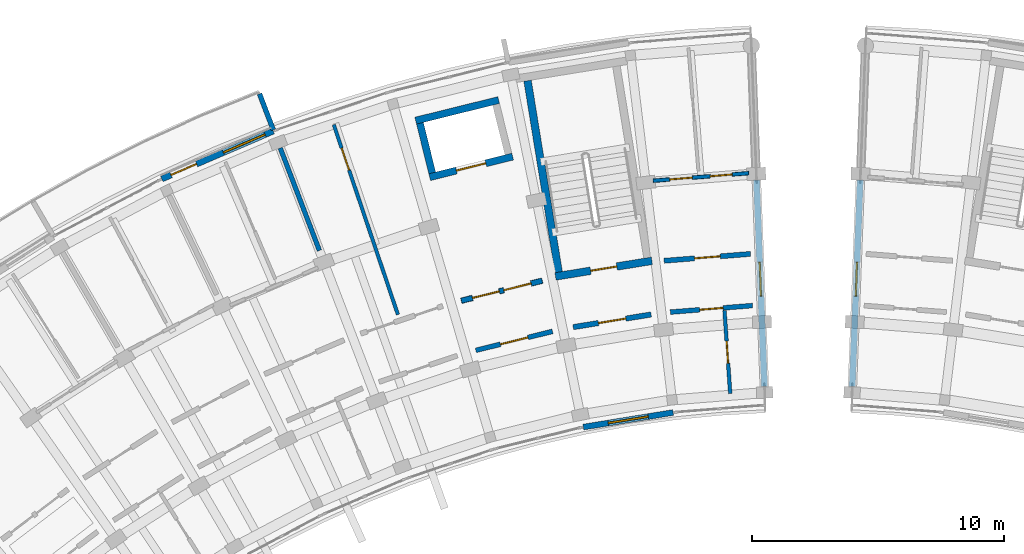
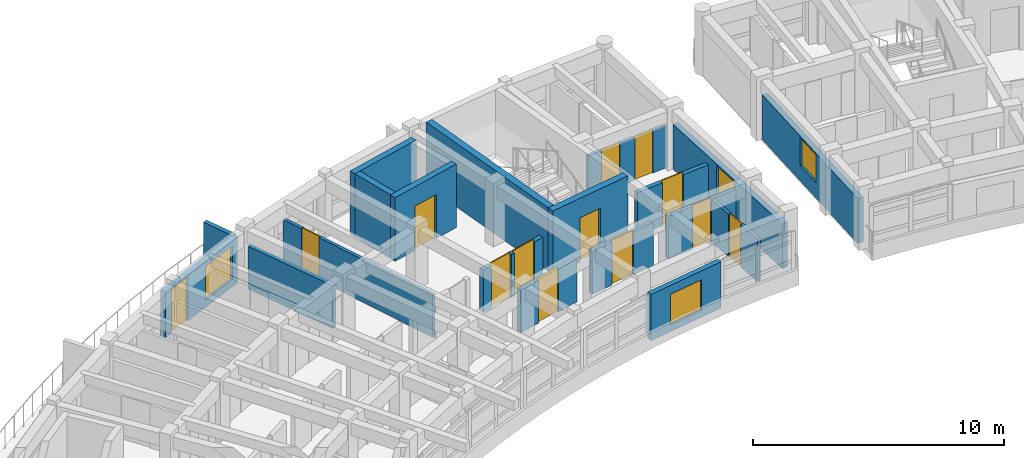
# One storey, part 32 of 50: 19 walls, 13 doors, 4 windows, 17 openings.
"""IFC4 building model written with IfcOpenShell, lengths in metres."""

from ifc_helpers import new_model, si_unit, direction, frame, frame_2d, origin, place, context, subcontext, project, spatial, rectangle, extrude, material, layer, layer_set, type_object, element, fill, save


model = new_model("IFC4")

# Units and contexts
model_context = context("Model", 3, precision=1e-05, world=origin(), true_north=direction((0.0, 1.0)))
body_context = subcontext(model_context, "Body", "Model", "MODEL_VIEW")
ifc_project = project(units=[si_unit("LENGTHUNIT", "METRE"), si_unit("AREAUNIT", "SQUARE_METRE"), si_unit("VOLUMEUNIT", "CUBIC_METRE"), si_unit("PLANEANGLEUNIT", "RADIAN"), si_unit("MASSUNIT", "GRAM", prefix="KILO")], contexts=[model_context])

# Site, building, storey
site_placement = place(None, origin())
site = spatial("IfcSite", under=ifc_project, at=site_placement, CompositionType="ELEMENT")
building_placement = place(site_placement, origin())
building = spatial("IfcBuilding", under=site, at=building_placement, Name="Zimvara Arc Housing Community", CompositionType="ELEMENT")
storey_placement = place(building_placement, frame((0.0, 0.0, 26.699951171875)))
storey = spatial("IfcBuildingStorey", under=building, at=storey_placement, Name="L08", CompositionType="ELEMENT", Elevation=26.699951171875)

# Wall, opening, window
ifc_material_1 = material(Name="Board-Marked Fair-Faced Concrete C35/45", Category="concrete")
ifc_layer_1 = layer(ifc_material_1, 0.22998046875)
ifc_layer_set_1 = layer_set([ifc_layer_1], Name="Board-Marked Fair-Faced Concrete C35/45")
wall_type_1 = type_object("IfcWallType", Name="EWL-CONC-230", PredefinedType="SOLIDWALL", material=ifc_layer_set_1)
wall_1_placement = place(storey_placement, frame((36.078125, 88.218017578125, 0.0), z_axis=(0.0, 0.0, 1.0), x_axis=(0.987080874485, 0.160222804952, 0.0)))
wall_1 = element("IfcWall", 1, at=wall_1_placement, inside=storey, type_object=wall_type_1, Name="ewall:blkA:L08:in:b8", PredefinedType="SOLIDWALL", context=body_context, shape_type="SweptSolid", body=[
    extrude(rectangle(XDim=3.603759765625, YDim=0.22998046875, at=frame_2d((1.8017578125, 0.0))), origin(), (0.0, 0.0, 1.0), 2.25),
])
opening_1_placement = place(wall_1_placement, frame((1.001708984375, 0.0, 0.320068359375)))
opening_1 = element("IfcOpeningElement", 2, at=opening_1_placement, cuts=wall_1, Name="Opening W03", PredefinedType="OPENING", context=body_context, shape_type="SweptSolid", body=[
    extrude(rectangle(XDim=1.60009765625, YDim=1.5, at=frame_2d((0.800048828125, 0.75))), frame((0.0, 0.125, 0.0), z_axis=(0.0, -1.0, 0.0), x_axis=(1.0, 0.0, 0.0)), (0.0, 0.0, 1.0), 0.25),
])
ifc_material_2 = material(Name="Solar Control Low-E Double Glazing", Category="glass")
window_type_1 = type_object("IfcWindowType", Name="WIN-RES-1600x1500", PartitioningType="DOUBLE_PANEL_VERTICAL", PredefinedType="WINDOW", material=ifc_material_2)
window_1_placement = place(opening_1_placement, origin())
window_1 = element("IfcWindow", 3, at=window_1_placement, inside=storey, type_object=window_type_1, Name="win:blkA:L08:in:b8", OverallHeight=1.5, OverallWidth=1.60009765625, PartitioningType="DOUBLE_PANEL_VERTICAL", PredefinedType="WINDOW", context=body_context, shape_type="SweptSolid", body=[
    extrude(rectangle(XDim=1.60009765625, YDim=1.5, at=frame_2d((0.800048828125, 0.75))), frame((0.0, 0.030029296875, 0.0), z_axis=(0.0, -1.0, 0.0), x_axis=(1.0, 0.0, 0.0)), (0.0, 0.0, 1.0), 0.06005859375),
])
fill(opening_1, window_1)

ifc_material_3 = material(Name="Board-Marked Fair-Faced Concrete C35/45", Category="concrete")
ifc_layer_2 = layer(ifc_material_3, 0.2548828125)
ifc_layer_set_2 = layer_set([ifc_layer_2], Name="Board-Marked Fair-Faced Concrete C35/45")
wall_type_2 = type_object("IfcWallType", Name="EWL-CONC-255", PredefinedType="SOLIDWALL", material=ifc_layer_set_2)
wall_2_placement = place(storey_placement, frame((43.2587890625, 89.82666015625, 0.0), z_axis=(0.0, 0.0, 1.0), x_axis=(-0.038407966241, 0.999262141847, 0.0)))
wall_2 = element("IfcWall", 4, at=wall_2_placement, inside=storey, type_object=wall_type_2, Name="ewall:blkA:L08:gN", PredefinedType="SOLIDWALL", context=body_context, shape_type="SweptSolid", body=[
    extrude(rectangle(XDim=8.199951171875, YDim=0.2548828125, at=frame_2d((4.10009765625, 0.0))), origin(), (0.0, 0.0, 1.0), 2.179931640625),
])
opening_2_placement = place(wall_2_placement, frame((3.590087890625, 0.0, 0.75)))
opening_2 = element("IfcOpeningElement", 5, at=opening_2_placement, cuts=wall_2, Name="Opening W12", PredefinedType="OPENING", context=body_context, shape_type="SweptSolid", body=[
    extrude(rectangle(XDim=1.35009765625, YDim=1.35009765625, at=frame_2d((0.675048828125, 0.675048828125))), frame((0.0, 0.137451171875, 0.0), z_axis=(0.0, -1.0, 0.0), x_axis=(1.0, 0.0, 0.0)), (0.0, 0.0, 1.0), 0.27490234375),
])
ifc_material_4 = material(Name="Solar Control Low-E Double Glazing", Category="glass")
window_type_2 = type_object("IfcWindowType", Name="WIN-RES-1350x1350", PartitioningType="DOUBLE_PANEL_VERTICAL", PredefinedType="WINDOW", material=ifc_material_4)
window_2_placement = place(opening_2_placement, origin())
window_2 = element("IfcWindow", 6, at=window_2_placement, inside=storey, type_object=window_type_2, Name="win:blkA:L08:gN:w", OverallHeight=1.35009765625, OverallWidth=1.35009765625, PartitioningType="DOUBLE_PANEL_VERTICAL", PredefinedType="WINDOW", context=body_context, shape_type="SweptSolid", body=[
    extrude(rectangle(XDim=1.35009765625, YDim=1.35009765625, at=frame_2d((0.675048828125, 0.675048828125))), frame((0.0, 0.030029296875, 0.0), z_axis=(0.0, -1.0, 0.0), x_axis=(1.0, 0.0, 0.0)), (0.0, 0.0, 1.0), 0.06005859375),
])
fill(opening_2, window_2)

wall_3_placement = place(storey_placement, frame((46.7412109375, 89.82666015625, 0.0), z_axis=(0.0, 0.0, 1.0), x_axis=(0.038407966241, 0.999262141847, 0.0)))
wall_3 = element("IfcWall", 7, at=wall_3_placement, inside=storey, type_object=wall_type_2, Name="ewall:blkB:L08:g0", PredefinedType="SOLIDWALL", context=body_context, shape_type="SweptSolid", body=[
    extrude(rectangle(XDim=8.199951171875, YDim=0.2548828125, at=frame_2d((4.10009765625, 0.0))), origin(), (0.0, 0.0, 1.0), 2.179931640625),
])
opening_3_placement = place(wall_3_placement, frame((3.590087890625, 0.0, 0.75)))
opening_3 = element("IfcOpeningElement", 8, at=opening_3_placement, cuts=wall_3, Name="Opening W12", PredefinedType="OPENING", context=body_context, shape_type="SweptSolid", body=[
    extrude(rectangle(XDim=1.35009765625, YDim=1.35009765625, at=frame_2d((0.675048828125, 0.675048828125))), frame((0.0, 0.137451171875, 0.0), z_axis=(0.0, -1.0, 0.0), x_axis=(1.0, 0.0, 0.0)), (0.0, 0.0, 1.0), 0.27490234375),
])
window_3_placement = place(opening_3_placement, origin())
window_3 = element("IfcWindow", 9, at=window_3_placement, inside=storey, type_object=window_type_2, Name="win:blkB:L08:g0:w", OverallHeight=1.35009765625, OverallWidth=1.35009765625, PartitioningType="DOUBLE_PANEL_VERTICAL", PredefinedType="WINDOW", context=body_context, shape_type="SweptSolid", body=[
    extrude(rectangle(XDim=1.35009765625, YDim=1.35009765625, at=frame_2d((0.675048828125, 0.675048828125))), frame((0.0, 0.030029296875, 0.0), z_axis=(0.0, -1.0, 0.0), x_axis=(1.0, 0.0, 0.0)), (0.0, 0.0, 1.0), 0.06005859375),
])
fill(opening_3, window_3)

# Wall
ifc_material_5 = material(Name="Board-Marked Fair-Faced Concrete C35/45", Category="concrete")
ifc_layer_3 = layer(ifc_material_5, 0.195068359375)
ifc_layer_set_3 = layer_set([ifc_layer_3], Name="Board-Marked Fair-Faced Concrete C35/45")
wall_type_3 = type_object("IfcWallType", Name="EWL-PARA-195", PredefinedType="PARAPET", material=ifc_layer_set_3)
wall_4_placement = place(storey_placement, frame((23.783203125, 100.0029296875, 0.0), z_axis=(0.0, 0.0, 1.0), x_axis=(-0.356957296461, 0.934120703391, 0.0)))
element("IfcWall", 10, at=wall_4_placement, inside=storey, type_object=wall_type_3, Name="finwall:blkA:L08:out:b6", PredefinedType="PARAPET", context=body_context, shape_type="SweptSolid", body=[
    extrude(rectangle(XDim=1.530029296875, YDim=0.195068359375, at=frame_2d((0.76513671875, 0.0))), origin(), (0.0, 0.0, 1.0), 2.25),
])

# Wall, openings, door, window
ifc_material_6 = material(Name="Pigmented Fair-Faced Concrete C35/45", Category="concrete")
ifc_layer_4 = layer(ifc_material_6, 0.2451171875)
ifc_layer_set_4 = layer_set([ifc_layer_4], Name="Pigmented Fair-Faced Concrete C35/45")
wall_type_4 = type_object("IfcWallType", Name="EWL-PIGM-245", PredefinedType="SOLIDWALL", material=ifc_layer_set_4)
wall_5_placement = place(storey_placement, frame((19.361083984375, 98.05859375, 0.0), z_axis=(0.0, 0.0, 1.0), x_axis=(0.918711189033, 0.394930058548, 0.0)))
wall_5 = element("IfcWall", 11, at=wall_5_placement, inside=storey, type_object=wall_type_4, Name="ewall:blkA:L08:out:b5", PredefinedType="SOLIDWALL", context=body_context, shape_type="SweptSolid", body=[
    extrude(rectangle(XDim=4.808837890625, YDim=0.2451171875, at=frame_2d((2.404296875, 0.0))), origin(), (0.0, 0.0, 1.0), 2.25),
])
opening_4_placement = place(wall_5_placement, frame((0.39990234375, 0.0, 0.0)))
opening_4 = element("IfcOpeningElement", 12, at=opening_4_placement, cuts=wall_5, Name="Opening ED06", PredefinedType="OPENING", context=body_context, shape_type="SweptSolid", body=[
    extrude(rectangle(XDim=1.10009765625, YDim=2.14990234375, at=frame_2d((0.550048828125, 1.074951171875))), frame((0.0, 0.132568359375, 0.0), z_axis=(0.0, -1.0, 0.0), x_axis=(1.0, 0.0, 0.0)), (0.0, 0.0, 1.0), 0.26513671875),
])
opening_5_placement = place(wall_5_placement, frame((2.658935546875, 0.0, 0.35009765625)))
opening_5 = element("IfcOpeningElement", 13, at=opening_5_placement, cuts=wall_5, Name="Opening W08", PredefinedType="OPENING", context=body_context, shape_type="SweptSolid", body=[
    extrude(rectangle(XDim=1.800048828125, YDim=1.64990234375, at=frame_2d((0.89990234375, 0.824951171875))), frame((0.0, 0.132568359375, 0.0), z_axis=(0.0, -1.0, 0.0), x_axis=(1.0, 0.0, 0.0)), (0.0, 0.0, 1.0), 0.26513671875),
])
ifc_material_7 = material(Name="Anodised Aluminium AW-6063", Category="aluminium")
door_type_1 = type_object("IfcDoorType", Name="EDR-TERR-1100x2150", OperationType="NOTDEFINED", PredefinedType="DOOR", material=ifc_material_7)
door_1_placement = place(opening_4_placement, origin())
door_1 = element("IfcDoor", 14, at=door_1_placement, inside=storey, type_object=door_type_1, Name="edoor:blkA:L08:bal_out:b5", OperationType="SINGLE_SWING_LEFT", OverallHeight=2.14990234375, OverallWidth=1.10009765625, PredefinedType="DOOR", context=body_context, shape_type="SweptSolid", body=[
    extrude(rectangle(XDim=1.10009765625, YDim=2.14990234375, at=frame_2d((0.550048828125, 1.074951171875))), frame((0.0, 0.02490234375, 0.0), z_axis=(0.0, -1.0, 0.0), x_axis=(1.0, 0.0, 0.0)), (0.0, 0.0, 1.0), 0.050048828125),
])
fill(opening_4, door_1)
ifc_material_8 = material(Name="Solar Control Low-E Double Glazing", Category="glass")
window_type_3 = type_object("IfcWindowType", Name="WIN-RES-1800x1650", PartitioningType="TRIPLE_PANEL_VERTICAL", PredefinedType="WINDOW", material=ifc_material_8)
window_4_placement = place(opening_5_placement, origin())
window_4 = element("IfcWindow", 15, at=window_4_placement, inside=storey, type_object=window_type_3, Name="win:blkA:L08:out:b5:balw", OverallHeight=1.64990234375, OverallWidth=1.800048828125, PartitioningType="TRIPLE_PANEL_VERTICAL", PredefinedType="WINDOW", context=body_context, shape_type="SweptSolid", body=[
    extrude(rectangle(XDim=1.800048828125, YDim=1.64990234375, at=frame_2d((0.89990234375, 0.824951171875))), frame((0.0, 0.030029296875, 0.0), z_axis=(0.0, -1.0, 0.0), x_axis=(1.0, 0.0, 0.0)), (0.0, 0.0, 1.0), 0.06005859375),
])
fill(opening_5, window_4)

# Wall, openings, doors
ifc_material_9 = material(Name="Concrete C35/45", Category="concrete")
ifc_layer_5 = layer(ifc_material_9, 0.2099609375)
ifc_layer_set_5 = layer_set([ifc_layer_5], Name="Concrete C35/45")
wall_type_5 = type_object("IfcWallType", Name="IWL-CCF-210", PredefinedType="SOLIDWALL", material=ifc_layer_set_5)
wall_6_placement = place(storey_placement, frame((31.242919921875, 93.22998046875, 0.0), z_axis=(0.0, 0.0, 1.0), x_axis=(0.970719238682, 0.240216901263, 0.0)))
wall_6 = element("IfcWall", 16, at=wall_6_placement, inside=storey, type_object=wall_type_5, Name="iwall:blkA:L08:ll_div:b7", PredefinedType="SOLIDWALL", context=body_context, shape_type="SweptSolid", body=[
    extrude(rectangle(XDim=3.2958984375, YDim=0.2099609375, at=frame_2d((1.64794921875, 0.0))), origin(), (0.0, 0.0, 1.0), 2.080078125),
])
opening_6_placement = place(wall_6_placement, frame((0.449951171875, 0.0, 0.0)))
opening_6 = element("IfcOpeningElement", 17, at=opening_6_placement, cuts=wall_6, Name="Opening FD-CCF1", PredefinedType="OPENING", context=body_context, shape_type="SweptSolid", body=[
    extrude(rectangle(XDim=1.10009765625, YDim=2.14990234375, at=frame_2d((0.550048828125, 1.074951171875))), frame((0.0, 0.114990234375, 0.0), z_axis=(0.0, -1.0, 0.0), x_axis=(1.0, 0.0, 0.0)), (0.0, 0.0, 1.0), 0.22998046875),
])
opening_7_placement = place(wall_6_placement, frame((1.72607421875, 0.0, 0.0)))
opening_7 = element("IfcOpeningElement", 18, at=opening_7_placement, cuts=wall_6, Name="Opening D07", PredefinedType="OPENING", context=body_context, shape_type="SweptSolid", body=[
    extrude(rectangle(XDim=1.1201171875, YDim=2.14990234375, at=frame_2d((0.56005859375, 1.074951171875))), frame((0.0, 0.114990234375, 0.0), z_axis=(0.0, -1.0, 0.0), x_axis=(1.0, 0.0, 0.0)), (0.0, 0.0, 1.0), 0.22998046875),
])
ifc_material_10 = material(Name="Mozambican Hardwood", Category="wood")
door_type_2 = type_object("IfcDoorType", Name="IDR-AMN-1120x2150", OperationType="NOTDEFINED", PredefinedType="DOOR", material=ifc_material_10)
door_2_placement = place(opening_7_placement, origin())
door_2 = element("IfcDoor", 19, at=door_2_placement, inside=storey, type_object=door_type_2, Name="idoor:blkA:L08:rs_in:b7", OperationType="SINGLE_SWING_LEFT", OverallHeight=2.14990234375, OverallWidth=1.1201171875, PredefinedType="DOOR", context=body_context, shape_type="SweptSolid", body=[
    extrude(rectangle(XDim=1.1201171875, YDim=2.14990234375, at=frame_2d((0.56005859375, 1.074951171875))), frame((0.0, 0.02490234375, 0.0), z_axis=(0.0, -1.0, 0.0), x_axis=(1.0, 0.0, 0.0)), (0.0, 0.0, 1.0), 0.050048828125),
])
fill(opening_7, door_2)
ifc_material_11 = material(Name="Anodised Aluminium AW-6063", Category="aluminium")
door_type_3 = type_object("IfcDoorType", Name="IDR-CCF-1100x2150", OperationType="NOTDEFINED", PredefinedType="DOOR", material=ifc_material_11)
door_3_placement = place(opening_6_placement, origin())
door_3 = element("IfcDoor", 20, at=door_3_placement, inside=storey, type_object=door_type_3, Name="idoor:blkA:L08:ll_in:b7", OperationType="SINGLE_SWING_RIGHT", OverallHeight=2.14990234375, OverallWidth=1.10009765625, PredefinedType="DOOR", context=body_context, shape_type="SweptSolid", body=[
    extrude(rectangle(XDim=1.10009765625, YDim=2.14990234375, at=frame_2d((0.550048828125, 1.074951171875))), frame((0.0, 0.02490234375, 0.0), z_axis=(0.0, -1.0, 0.0), x_axis=(1.0, 0.0, 0.0)), (0.0, 0.0, 1.0), 0.050048828125),
])
fill(opening_6, door_3)

# Wall, opening, door
wall_7_placement = place(storey_placement, frame((35.675537109375, 92.181396484375, 0.0), z_axis=(0.0, 0.0, 1.0), x_axis=(0.98707079686, 0.160284877599, 0.0)))
wall_7 = element("IfcWall", 21, at=wall_7_placement, inside=storey, type_object=wall_type_5, Name="iwall:blkA:L08:ccf_div:b8", PredefinedType="SOLIDWALL", context=body_context, shape_type="SweptSolid", body=[
    extrude(rectangle(XDim=3.128662109375, YDim=0.2099609375, at=frame_2d((1.564453125, 0.0))), origin(), (0.0, 0.0, 1.0), 2.080078125),
])
opening_8_placement = place(wall_7_placement, frame((1.014404296875, 0.0, 0.0)))
opening_8 = element("IfcOpeningElement", 22, at=opening_8_placement, cuts=wall_7, Name="Opening FD-CCF1", PredefinedType="OPENING", context=body_context, shape_type="SweptSolid", body=[
    extrude(rectangle(XDim=1.10009765625, YDim=2.14990234375, at=frame_2d((0.550048828125, 1.074951171875))), frame((0.0, 0.114990234375, 0.0), z_axis=(0.0, -1.0, 0.0), x_axis=(1.0, 0.0, 0.0)), (0.0, 0.0, 1.0), 0.22998046875),
])
door_4_placement = place(opening_8_placement, origin())
door_4 = element("IfcDoor", 23, at=door_4_placement, inside=storey, type_object=door_type_3, Name="idoor:blkA:L08:ccf_in:b8", OperationType="SINGLE_SWING_LEFT", OverallHeight=2.14990234375, OverallWidth=1.10009765625, PredefinedType="DOOR", context=body_context, shape_type="SweptSolid", body=[
    extrude(rectangle(XDim=1.10009765625, YDim=2.14990234375, at=frame_2d((0.550048828125, 1.074951171875))), frame((0.0, 0.02490234375, 0.0), z_axis=(0.0, -1.0, 0.0), x_axis=(1.0, 0.0, 0.0)), (0.0, 0.0, 1.0), 0.050048828125),
])
fill(opening_8, door_4)

ifc_material_12 = material(Name="Concrete C35/45", Category="concrete")
ifc_layer_6 = layer(ifc_material_12, 0.18994140625)
ifc_layer_set_6 = layer_set([ifc_layer_6], Name="Concrete C35/45")
wall_type_6 = type_object("IfcWallType", Name="IWL-CORR-190", PredefinedType="SOLIDWALL", material=ifc_layer_set_6)
wall_8_placement = place(storey_placement, frame((31.816162109375, 91.26171875, 0.0), z_axis=(0.0, 0.0, 1.0), x_axis=(0.970727194092, 0.240184751078, 0.0)))
wall_8 = element("IfcWall", 24, at=wall_8_placement, inside=storey, type_object=wall_type_6, Name="iwall:blkA:L08:ra_div:b7", PredefinedType="SOLIDWALL", context=body_context, shape_type="SweptSolid", body=[
    extrude(rectangle(XDim=3.128662109375, YDim=0.18994140625, at=frame_2d((1.564453125, 0.0))), origin(), (0.0, 0.0, 1.0), 2.080078125),
])
opening_9_placement = place(wall_8_placement, frame((1.00439453125, 0.0, 0.0)))
opening_9 = element("IfcOpeningElement", 25, at=opening_9_placement, cuts=wall_8, Name="Opening D07", PredefinedType="OPENING", context=body_context, shape_type="SweptSolid", body=[
    extrude(rectangle(XDim=1.1201171875, YDim=2.14990234375, at=frame_2d((0.56005859375, 1.074951171875))), frame((0.0, 0.10498046875, 0.0), z_axis=(0.0, -1.0, 0.0), x_axis=(1.0, 0.0, 0.0)), (0.0, 0.0, 1.0), 0.2099609375),
])
door_5_placement = place(opening_9_placement, origin())
door_5 = element("IfcDoor", 26, at=door_5_placement, inside=storey, type_object=door_type_2, Name="idoor:blkA:L08:ra_d:b7", OperationType="SINGLE_SWING_RIGHT", OverallHeight=2.14990234375, OverallWidth=1.1201171875, PredefinedType="DOOR", context=body_context, shape_type="SweptSolid", body=[
    extrude(rectangle(XDim=1.1201171875, YDim=2.14990234375, at=frame_2d((0.56005859375, 1.074951171875))), frame((0.0, 0.02490234375, 0.0), z_axis=(0.0, -1.0, 0.0), x_axis=(1.0, 0.0, 0.0)), (0.0, 0.0, 1.0), 0.050048828125),
])
fill(opening_9, door_5)

wall_9_placement = place(storey_placement, frame((39.527099609375, 92.77783203125, 0.0), z_axis=(0.0, 0.0, 1.0), x_axis=(0.99686660806, 0.07910098441, 0.0)))
wall_9 = element("IfcWall", 27, at=wall_9_placement, inside=storey, type_object=wall_type_6, Name="iwall:blkA:L08:corr_in:b9", PredefinedType="SOLIDWALL", context=body_context, shape_type="SweptSolid", body=[
    extrude(rectangle(XDim=3.2685546875, YDim=0.18994140625, at=frame_2d((1.63427734375, 0.0))), origin(), (0.0, 0.0, 1.0), 2.080078125),
])
opening_10_placement = place(wall_9_placement, frame((1.17431640625, 0.0, 0.0)))
opening_10 = element("IfcOpeningElement", 28, at=opening_10_placement, cuts=wall_9, Name="Opening D02", PredefinedType="OPENING", context=body_context, shape_type="SweptSolid", body=[
    extrude(rectangle(XDim=0.919921875, YDim=2.10009765625, at=frame_2d((0.4599609375, 1.050048828125))), frame((0.0, 0.10498046875, 0.0), z_axis=(0.0, -1.0, 0.0), x_axis=(1.0, 0.0, 0.0)), (0.0, 0.0, 1.0), 0.2099609375),
])
ifc_material_13 = material(Name="Mozambican Hardwood", Category="wood")
door_type_4 = type_object("IfcDoorType", Name="IDR-RM-0920x2100", OperationType="NOTDEFINED", PredefinedType="DOOR", material=ifc_material_13)
door_6_placement = place(opening_10_placement, origin())
door_6 = element("IfcDoor", 29, at=door_6_placement, inside=storey, type_object=door_type_4, Name="idoor:blkA:L08:in_rm:b9", OperationType="SINGLE_SWING_LEFT", OverallHeight=2.10009765625, OverallWidth=0.919921875, PredefinedType="DOOR", context=body_context, shape_type="SweptSolid", body=[
    extrude(rectangle(XDim=0.919921875, YDim=2.10009765625, at=frame_2d((0.4599609375, 1.050048828125))), frame((0.0, 0.02490234375, 0.0), z_axis=(0.0, -1.0, 0.0), x_axis=(1.0, 0.0, 0.0)), (0.0, 0.0, 1.0), 0.050048828125),
])
fill(opening_10, door_6)

ifc_material_14 = material(Name="Concrete C35/45", Category="concrete")
ifc_layer_7 = layer(ifc_material_14, 0.199951171875)
ifc_layer_set_7 = layer_set([ifc_layer_7], Name="Concrete C35/45")
wall_type_7 = type_object("IfcWallType", Name="IWL-CORR-200", PredefinedType="SOLIDWALL", material=ifc_layer_set_7)
wall_10_placement = place(storey_placement, frame((39.281494140625, 94.81298828125, 0.0), z_axis=(0.0, 0.0, 1.0), x_axis=(0.996862545573, 0.079152165058, 0.0)))
wall_10 = element("IfcWall", 30, at=wall_10_placement, inside=storey, type_object=wall_type_7, Name="iwall:blkA:L08:corr_out:b9", PredefinedType="SOLIDWALL", context=body_context, shape_type="SweptSolid", body=[
    extrude(rectangle(XDim=3.43603515625, YDim=0.199951171875, at=frame_2d((1.718017578125, 0.0))), origin(), (0.0, 0.0, 1.0), 2.080078125),
])
opening_11_placement = place(wall_10_placement, frame((1.2080078125, 0.0, 0.0)))
opening_11 = element("IfcOpeningElement", 31, at=opening_11_placement, cuts=wall_10, Name="Opening FD-FL2", PredefinedType="OPENING", context=body_context, shape_type="SweptSolid", body=[
    extrude(rectangle(XDim=1.02001953125, YDim=2.14990234375, at=frame_2d((0.510009765625, 1.074951171875))), frame((0.0, 0.10986328125, 0.0), z_axis=(0.0, -1.0, 0.0), x_axis=(1.0, 0.0, 0.0)), (0.0, 0.0, 1.0), 0.219970703125),
])
ifc_material_15 = material(Name="Mozambican Hardwood", Category="wood")
door_type_5 = type_object("IfcDoorType", Name="IDR-FLAT-1020x2150", OperationType="NOTDEFINED", PredefinedType="DOOR", material=ifc_material_15)
door_7_placement = place(opening_11_placement, origin())
door_7 = element("IfcDoor", 32, at=door_7_placement, inside=storey, type_object=door_type_5, Name="idoor:blkA:L08:flat:b9", OperationType="SINGLE_SWING_RIGHT", OverallHeight=2.14990234375, OverallWidth=1.02001953125, PredefinedType="DOOR", context=body_context, shape_type="SweptSolid", body=[
    extrude(rectangle(XDim=1.02001953125, YDim=2.14990234375, at=frame_2d((0.510009765625, 1.074951171875))), frame((0.0, 0.02490234375, 0.0), z_axis=(0.0, -1.0, 0.0), x_axis=(1.0, 0.0, 0.0)), (0.0, 0.0, 1.0), 0.050048828125),
])
fill(opening_11, door_7)

# Wall
ifc_material_16 = material(Name="Concrete C35/45", Category="concrete")
ifc_layer_8 = layer(ifc_material_16, 0.18505859375)
ifc_layer_set_8 = layer_set([ifc_layer_8], Name="Concrete C35/45")
wall_type_8 = type_object("IfcWallType", Name="IWL-FLAT-185", PredefinedType="SOLIDWALL", material=ifc_layer_set_8)
wall_11_placement = place(storey_placement, frame((25.611328125, 95.220458984375, 0.0), z_axis=(0.0, 0.0, 1.0), x_axis=(-0.357064016205, 0.934079915388, 0.0)))
element("IfcWall", 33, at=wall_11_placement, inside=storey, type_object=wall_type_8, Name="iwall:blkA:L08:party:b6", PredefinedType="SOLIDWALL", context=body_context, shape_type="SweptSolid", body=[
    extrude(rectangle(XDim=4.35009765625, YDim=0.18505859375, at=frame_2d((2.175048828125, 0.0))), origin(), (0.0, 0.0, 1.0), 2.080078125),
])

# Wall, opening, door
ifc_material_17 = material(Name="Painted Acoustic Plasterboard")
ifc_layer_9 = layer(ifc_material_17, 0.139892578125)
ifc_layer_set_9 = layer_set([ifc_layer_9], Name="Painted Acoustic Plasterboard")
wall_type_9 = type_object("IfcWallType", Name="IWL-PART-140", PredefinedType="PARTITIONING", material=ifc_layer_set_9)
wall_12_placement = place(storey_placement, frame((28.72509765625, 92.67529296875, 0.0), z_axis=(0.0, 0.0, 1.0), x_axis=(-0.320057771325, 0.947398027766, 0.0)))
wall_12 = element("IfcWall", 34, at=wall_12_placement, inside=storey, type_object=wall_type_9, Name="iwall:blkA:L08:amen_div:b6", PredefinedType="PARTITIONING", context=body_context, shape_type="SweptSolid", body=[
    extrude(rectangle(XDim=7.949951171875, YDim=0.139892578125, at=frame_2d((3.97509765625, 0.0))), origin(), (0.0, 0.0, 1.0), 2.080078125),
])
opening_12_placement = place(wall_12_placement, frame((6.050048828125, 0.0, 0.0)))
opening_12 = element("IfcOpeningElement", 35, at=opening_12_placement, cuts=wall_12, Name="Opening D02", PredefinedType="OPENING", context=body_context, shape_type="SweptSolid", body=[
    extrude(rectangle(XDim=0.919921875, YDim=2.10009765625, at=frame_2d((0.4599609375, 1.050048828125))), frame((0.0, 0.079833984375, 0.0), z_axis=(0.0, -1.0, 0.0), x_axis=(1.0, 0.0, 0.0)), (0.0, 0.0, 1.0), 0.159912109375),
])
door_8_placement = place(opening_12_placement, origin())
door_8 = element("IfcDoor", 36, at=door_8_placement, inside=storey, type_object=door_type_4, Name="idoor:blkA:L08:laund_d:b6", OperationType="SINGLE_SWING_LEFT", OverallHeight=2.10009765625, OverallWidth=0.919921875, PredefinedType="DOOR", context=body_context, shape_type="SweptSolid", body=[
    extrude(rectangle(XDim=0.919921875, YDim=2.10009765625, at=frame_2d((0.4599609375, 1.050048828125))), frame((0.0, 0.02490234375, 0.0), z_axis=(0.0, -1.0, 0.0), x_axis=(1.0, 0.0, 0.0)), (0.0, 0.0, 1.0), 0.050048828125),
])
fill(opening_12, door_8)

# Wall, openings, doors
wall_13_placement = place(storey_placement, frame((38.848388671875, 97.986083984375, 0.0), z_axis=(0.0, 0.0, 1.0), x_axis=(0.996863138536, 0.079144696778, 0.0)))
wall_13 = element("IfcWall", 37, at=wall_13_placement, inside=storey, type_object=wall_type_9, Name="iwall:blkA:L08:srv:b9", PredefinedType="PARTITIONING", context=body_context, shape_type="SweptSolid", body=[
    extrude(rectangle(XDim=3.79736328125, YDim=0.139892578125, at=frame_2d((1.898681640625, 0.0))), origin(), (0.0, 0.0, 1.0), 2.080078125),
])
opening_13_placement = place(wall_13_placement, frame((0.64990234375, 0.0, 0.0)))
opening_13 = element("IfcOpeningElement", 38, at=opening_13_placement, cuts=wall_13, Name="Opening D01", PredefinedType="OPENING", context=body_context, shape_type="SweptSolid", body=[
    extrude(rectangle(XDim=0.89990234375, YDim=2.10009765625, at=frame_2d((0.449951171875, 1.050048828125))), frame((0.0, 0.079833984375, 0.0), z_axis=(0.0, -1.0, 0.0), x_axis=(1.0, 0.0, 0.0)), (0.0, 0.0, 1.0), 0.159912109375),
])
opening_14_placement = place(wall_13_placement, frame((2.267333984375, 0.0, 0.0)))
opening_14 = element("IfcOpeningElement", 39, at=opening_14_placement, cuts=wall_13, Name="Opening D05", PredefinedType="OPENING", context=body_context, shape_type="SweptSolid", body=[
    extrude(rectangle(XDim=0.8798828125, YDim=2.10009765625, at=frame_2d((0.43994140625, 1.050048828125))), frame((0.0, 0.079833984375, 0.0), z_axis=(0.0, -1.0, 0.0), x_axis=(1.0, 0.0, 0.0)), (0.0, 0.0, 1.0), 0.159912109375),
])
ifc_material_18 = material(Name="Mozambican Hardwood", Category="wood")
door_type_6 = type_object("IfcDoorType", Name="IDR-RM-0900x2100", OperationType="NOTDEFINED", PredefinedType="DOOR", material=ifc_material_18)
door_9_placement = place(opening_13_placement, origin())
door_9 = element("IfcDoor", 40, at=door_9_placement, inside=storey, type_object=door_type_6, Name="idoor:blkA:L08:kit_liv:b9", OperationType="SINGLE_SWING_LEFT", OverallHeight=2.10009765625, OverallWidth=0.89990234375, PredefinedType="DOOR", context=body_context, shape_type="SweptSolid", body=[
    extrude(rectangle(XDim=0.89990234375, YDim=2.10009765625, at=frame_2d((0.449951171875, 1.050048828125))), frame((0.0, 0.02490234375, 0.0), z_axis=(0.0, -1.0, 0.0), x_axis=(1.0, 0.0, 0.0)), (0.0, 0.0, 1.0), 0.050048828125),
])
fill(opening_13, door_9)
ifc_material_19 = material(Name="Mozambican Hardwood", Category="wood")
door_type_7 = type_object("IfcDoorType", Name="IDR-WC-0880x2100", OperationType="NOTDEFINED", PredefinedType="DOOR", material=ifc_material_19)
door_10_placement = place(opening_14_placement, origin())
door_10 = element("IfcDoor", 41, at=door_10_placement, inside=storey, type_object=door_type_7, Name="idoor:blkA:L08:bath_d:b9", OperationType="SINGLE_SWING_RIGHT", OverallHeight=2.10009765625, OverallWidth=0.8798828125, PredefinedType="DOOR", context=body_context, shape_type="SweptSolid", body=[
    extrude(rectangle(XDim=0.8798828125, YDim=2.10009765625, at=frame_2d((0.43994140625, 1.050048828125))), frame((0.0, 0.02490234375, 0.0), z_axis=(0.0, -1.0, 0.0), x_axis=(1.0, 0.0, 0.0)), (0.0, 0.0, 1.0), 0.050048828125),
])
fill(opening_14, door_10)

# Wall, opening, door
ifc_material_20 = material(Name="Painted Acoustic Plasterboard")
ifc_layer_10 = layer(ifc_material_20, 0.14501953125)
ifc_layer_set_10 = layer_set([ifc_layer_10], Name="Painted Acoustic Plasterboard")
wall_type_10 = type_object("IfcWallType", Name="IWL-WET-145", PredefinedType="PARTITIONING", material=ifc_layer_set_10)
wall_14_placement = place(storey_placement, frame((41.9013671875, 89.54345703125, 0.0), z_axis=(0.0, 0.0, 1.0), x_axis=(-0.068581194944, 0.997645538105, 0.0)))
wall_14 = element("IfcWall", 42, at=wall_14_placement, inside=storey, type_object=wall_type_10, Name="iwall:blkA:L08:ens:b9", PredefinedType="PARTITIONING", context=body_context, shape_type="SweptSolid", body=[
    extrude(rectangle(XDim=3.300048828125, YDim=0.14501953125, at=frame_2d((1.64990234375, 0.0))), origin(), (0.0, 0.0, 1.0), 2.080078125),
])
opening_15_placement = place(wall_14_placement, frame((1.2099609375, 0.0, 0.0)))
opening_15 = element("IfcOpeningElement", 43, at=opening_15_placement, cuts=wall_14, Name="Opening D05", PredefinedType="OPENING", context=body_context, shape_type="SweptSolid", body=[
    extrude(rectangle(XDim=0.8798828125, YDim=2.10009765625, at=frame_2d((0.43994140625, 1.050048828125))), frame((0.0, 0.08251953125, 0.0), z_axis=(0.0, -1.0, 0.0), x_axis=(1.0, 0.0, 0.0)), (0.0, 0.0, 1.0), 0.1650390625),
])
door_11_placement = place(opening_15_placement, origin())
door_11 = element("IfcDoor", 44, at=door_11_placement, inside=storey, type_object=door_type_7, Name="idoor:blkA:L08:ens_d:b9", OperationType="SINGLE_SWING_RIGHT", OverallHeight=2.10009765625, OverallWidth=0.8798828125, PredefinedType="DOOR", context=body_context, shape_type="SweptSolid", body=[
    extrude(rectangle(XDim=0.8798828125, YDim=2.10009765625, at=frame_2d((0.43994140625, 1.050048828125))), frame((0.0, 0.02490234375, 0.0), z_axis=(0.0, -1.0, 0.0), x_axis=(1.0, 0.0, 0.0)), (0.0, 0.0, 1.0), 0.050048828125),
])
fill(opening_15, door_11)

ifc_material_21 = material(Name="Concrete C40/50", Category="concrete")
ifc_layer_11 = layer(ifc_material_21, 0.280029296875)
ifc_layer_set_11 = layer_set([ifc_layer_11], Name="Concrete C40/50")
wall_type_11 = type_object("IfcWallType", Name="WL-CORE-280", PredefinedType="SHEAR", material=ifc_layer_set_11)
wall_15_placement = place(storey_placement, frame((33.27294921875, 98.942138671875, 0.0), z_axis=(0.0, 0.0, 1.0), x_axis=(-0.970707542441, -0.240264160972, 0.0)))
wall_15 = element("IfcWall", 45, at=wall_15_placement, inside=storey, type_object=wall_type_11, Name="lwall:LF-A2:L08:front", PredefinedType="SHEAR", context=body_context, shape_type="SweptSolid", body=[
    extrude(rectangle(XDim=3.389892578125, YDim=0.280029296875, at=frame_2d((1.69482421875, 0.0))), origin(), (0.0, 0.0, 1.0), 3.10009765625),
])
opening_16_placement = place(wall_15_placement, frame((1.094970703125, 0.0, 0.0)))
opening_16 = element("IfcOpeningElement", 46, at=opening_16_placement, cuts=wall_15, Name="Opening LD-LF-A2", PredefinedType="OPENING", context=body_context, shape_type="SweptSolid", body=[
    extrude(rectangle(XDim=1.199951171875, YDim=2.14990234375, at=frame_2d((0.60009765625, 1.074951171875))), frame((0.0, 0.14990234375, 0.0), z_axis=(0.0, -1.0, 0.0), x_axis=(1.0, 0.0, 0.0)), (0.0, 0.0, 1.0), 0.300048828125),
])
ifc_material_22 = material(Name="Anodised Aluminium AW-6063", Category="aluminium")
door_type_8 = type_object("IfcDoorType", Name="IDR-LD-1200x2150", OperationType="DOUBLE_DOOR_SLIDING", PredefinedType="DOOR", material=ifc_material_22)
door_12_placement = place(opening_16_placement, origin())
door_12 = element("IfcDoor", 47, at=door_12_placement, inside=storey, type_object=door_type_8, Name="Lift LF-A2 Sliding Landing Door L08", OperationType="DOUBLE_DOOR_SLIDING", OverallHeight=2.14990234375, OverallWidth=1.199951171875, PredefinedType="DOOR", context=body_context, shape_type="SweptSolid", body=[
    extrude(rectangle(XDim=1.199951171875, YDim=2.14990234375, at=frame_2d((0.60009765625, 1.074951171875))), frame((0.0, 0.02490234375, 0.0), z_axis=(0.0, -1.0, 0.0), x_axis=(1.0, 0.0, 0.0)), (0.0, 0.0, 1.0), 0.050048828125),
])
fill(opening_16, door_12)

# Walls
wall_16_placement = place(storey_placement, frame((32.71826171875, 101.1845703125, 0.0), z_axis=(0.0, 0.0, 1.0), x_axis=(-0.970711699588, -0.240247364777, 0.0)))
element("IfcWall", 48, at=wall_16_placement, inside=storey, type_object=wall_type_11, Name="lwall:LF-A2:L08:back", PredefinedType="SHEAR", context=body_context, shape_type="SweptSolid", body=[
    extrude(rectangle(XDim=3.39013671875, YDim=0.280029296875, at=frame_2d((1.695068359375, 0.0))), origin(), (0.0, 0.0, 1.0), 3.10009765625),
])
wall_17_placement = place(storey_placement, frame((30.084716796875, 98.29736328125, 0.0), z_axis=(0.0, 0.0, 1.0), x_axis=(-0.2402993748, 0.970698825832, 0.0)))
element("IfcWall", 49, at=wall_17_placement, inside=storey, type_object=wall_type_11, Name="lwall:LF-A2:L08:right", PredefinedType="SHEAR", context=body_context, shape_type="SweptSolid", body=[
    extrude(rectangle(XDim=2.030029296875, YDim=0.280029296875, at=frame_2d((1.01513671875, 0.0))), origin(), (0.0, 0.0, 1.0), 3.10009765625),
])

# Wall, opening, door
ifc_material_23 = material(Name="Concrete C40/50", Category="concrete")
ifc_layer_12 = layer(ifc_material_23, 0.300048828125)
ifc_layer_set_12 = layer_set([ifc_layer_12], Name="Concrete C40/50")
wall_type_12 = type_object("IfcWallType", Name="WL-CORE-300", PredefinedType="SHEAR", material=ifc_layer_set_12)
wall_18_placement = place(storey_placement, frame((38.793701171875, 94.810546875, 0.0), z_axis=(0.0, 0.0, 1.0), x_axis=(-0.987077443397, -0.160243941341, 0.0)))
wall_18 = element("IfcWall", 50, at=wall_18_placement, inside=storey, type_object=wall_type_12, Name="cwall:ST-A2:L08:near", PredefinedType="SHEAR", context=body_context, shape_type="SweptSolid", body=[
    extrude(rectangle(XDim=3.869873046875, YDim=0.300048828125, at=frame_2d((1.93505859375, 0.0))), origin(), (0.0, 0.0, 1.0), 3.10009765625),
])
opening_17_placement = place(wall_18_placement, frame((1.409912109375, 0.0, 0.0)))
opening_17 = element("IfcOpeningElement", 51, at=opening_17_placement, cuts=wall_18, Name="Opening FD-ST2", PredefinedType="OPENING", context=body_context, shape_type="SweptSolid", body=[
    extrude(rectangle(XDim=1.050048828125, YDim=2.14990234375, at=frame_2d((0.52490234375, 1.074951171875))), frame((0.0, 0.159912109375, 0.0), z_axis=(0.0, -1.0, 0.0), x_axis=(1.0, 0.0, 0.0)), (0.0, 0.0, 1.0), 0.320068359375),
])
ifc_material_24 = material(Name="Anodised Aluminium AW-6063", Category="aluminium")
door_type_9 = type_object("IfcDoorType", Name="IDR-ST-1050x2150", OperationType="NOTDEFINED", PredefinedType="DOOR", material=ifc_material_24)
door_13_placement = place(opening_17_placement, origin())
door_13 = element("IfcDoor", 52, at=door_13_placement, inside=storey, type_object=door_type_9, Name="idoor:ST-A2:L08:entry", OperationType="SINGLE_SWING_RIGHT", OverallHeight=2.14990234375, OverallWidth=1.050048828125, PredefinedType="DOOR", context=body_context, shape_type="SweptSolid", body=[
    extrude(rectangle(XDim=1.050048828125, YDim=2.14990234375, at=frame_2d((0.52490234375, 1.074951171875))), frame((0.0, 0.02490234375, 0.0), z_axis=(0.0, -1.0, 0.0), x_axis=(1.0, 0.0, 0.0)), (0.0, 0.0, 1.0), 0.050048828125),
])
fill(opening_17, door_13)

# Wall
wall_19_placement = place(storey_placement, frame((35.097900390625, 94.362548828125, 0.0), z_axis=(0.0, 0.0, 1.0), x_axis=(-0.160227496777, 0.987080112897, 0.0)))
element("IfcWall", 53, at=wall_19_placement, inside=storey, type_object=wall_type_12, Name="cwall:ST-A2:L08:right", PredefinedType="SHEAR", context=body_context, shape_type="SweptSolid", body=[
    extrude(rectangle(XDim=7.690185546875, YDim=0.300048828125, at=frame_2d((3.84521484375, 0.0))), origin(), (0.0, 0.0, 1.0), 3.10009765625),
])

save(model, "model.ifc")
